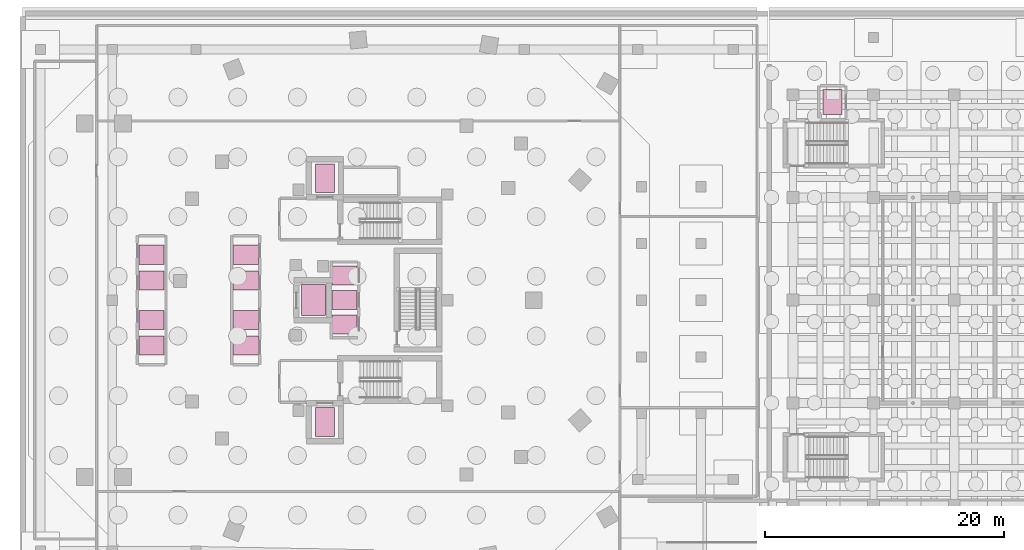
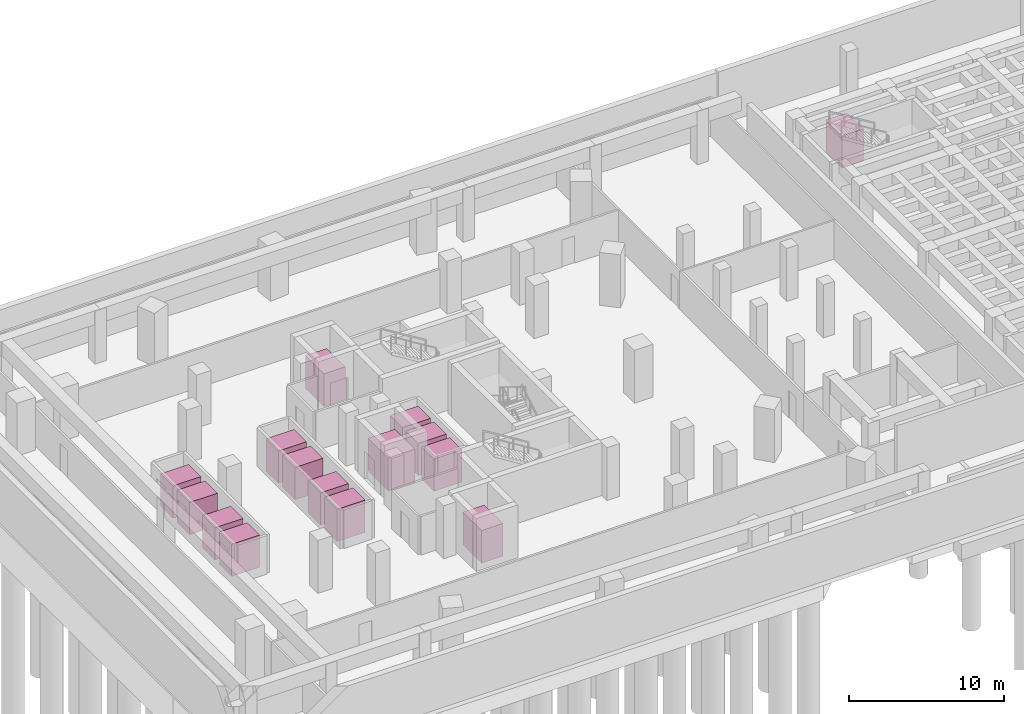
# One storey, part 15 of 15: 15 transport elements.
"""IFC4 building model written with IfcOpenShell, lengths in metres."""

from ifc_helpers import new_model, si_unit, direction, frame, origin, origin_2d, place, context, subcontext, project, spatial, rectangle, extrude, material, type_object, element, save


model = new_model("IFC4")

# Units and contexts
model_context = context("Model", 3, precision=1e-05, world=origin(), true_north=direction((0.0, 1.0)))
body_context = subcontext(model_context, "Body", "Model", "MODEL_VIEW")
ifc_project = project(units=[si_unit("LENGTHUNIT", "METRE"), si_unit("AREAUNIT", "SQUARE_METRE"), si_unit("VOLUMEUNIT", "CUBIC_METRE"), si_unit("PLANEANGLEUNIT", "RADIAN"), si_unit("MASSUNIT", "GRAM", prefix="KILO")], contexts=[model_context])

# Site, building, storey
site_placement = place(None, origin())
site = spatial("IfcSite", under=ifc_project, at=site_placement, CompositionType="ELEMENT")
building_placement = place(site_placement, origin())
building = spatial("IfcBuilding", under=site, at=building_placement, Name="Korentha Bioscience Tower", CompositionType="ELEMENT")
storey_placement = place(building_placement, frame((0.0, 0.0, -9.0)))
storey = spatial("IfcBuildingStorey", under=building, at=storey_placement, Name="B2", CompositionType="ELEMENT", Elevation=-9.0)

# Transport elements
ifc_material = material(Name="Stainless Steel Cab Assembly", Category="steel")
transport_element_type_1 = type_object("IfcTransportElementType", Name="Cleanroom Heavy Goods & Stretcher Lift 2500kg", PredefinedType="ELEVATOR", material=ifc_material)
transport_element_1_placement = place(storey_placement, frame((26.35009765625, 27.0, 0.0), z_axis=(0.0, 0.0, 1.0), x_axis=(1.0, 0.0, 0.0)))
element("IfcTransportElement", 1, at=transport_element_1_placement, inside=storey, type_object=transport_element_type_1, Name="Lift SVL-1 (Goods)", PredefinedType="ELEVATOR", context=body_context, shape_type="SweptSolid", body=[
    extrude(rectangle(XDim=2.0, YDim=2.60009765625, at=origin_2d()), origin(), (0.0, 0.0, 1.0), 2.60009765625),
])
transport_element_type_2 = type_object("IfcTransportElementType", Name="Dual-Stage Pressurized Firefighting Lift 1600kg", PredefinedType="ELEVATOR", material=ifc_material)
for number, where, z_axis, x_axis, name in (
    (2, (27.300048828125, 16.800048828125, 0.0), (0.0, 0.0, 1.0), (1.0, 0.0, 0.0), "Lift FFL-1 (Firefighting)"),
    (3, (27.300048828125, 37.199951171875, 0.0), (0.0, 0.0, 1.0), (1.0, 0.0, 0.0), "Lift FFL-2 (Firefighting)"),
):
    element("IfcTransportElement", number, at=place(storey_placement, frame(where, z_axis=z_axis, x_axis=x_axis)), inside=storey, type_object=transport_element_type_2, Name=name, PredefinedType="ELEVATOR", context=body_context, shape_type="SweptSolid", body=[
        extrude(rectangle(XDim=1.60009765625, YDim=2.39990234375, at=origin_2d()), origin(), (0.0, 0.0, 1.0), 2.60009765625),
    ])
transport_element_type_3 = type_object("IfcTransportElementType", Name="High-Rise Sky Passenger Lift 1800kg", PredefinedType="ELEVATOR", material=ifc_material)
for number, where, z_axis, x_axis, name in (
    (4, (28.949951171875, 24.97998046875, 0.0), (0.0, 0.0, 1.0), (0.0, 1.0, 0.0), "Lift PL-H1 (Passenger)"),
    (5, (28.949951171875, 27.02001953125, 0.0), (0.0, 0.0, 1.0), (0.0, 1.0, 0.0), "Lift PL-H2 (Passenger)"),
    (6, (28.949951171875, 29.070068359375, 0.0), (0.0, 0.0, 1.0), (0.0, 1.0, 0.0), "Lift PL-H3 (Passenger)"),
):
    element("IfcTransportElement", number, at=place(storey_placement, frame(where, z_axis=z_axis, x_axis=x_axis)), inside=storey, type_object=transport_element_type_3, Name=name, PredefinedType="ELEVATOR", context=body_context, shape_type="SweptSolid", body=[
        extrude(rectangle(XDim=1.60009765625, YDim=2.10009765625, at=origin_2d()), origin(), (0.0, 0.0, 1.0), 2.550048828125),
    ])
transport_element_type_4 = type_object("IfcTransportElementType", Name="Low-Rise Bioscience Passenger Lift 1600kg", PredefinedType="ELEVATOR", material=ifc_material)
for number, where, z_axis, x_axis, name in (
    (7, (12.800048828125, 23.199951171875, 0.0), (0.0, 0.0, 1.0), (0.0, 1.0, 0.0), "Lift PL-L1 (Passenger)"),
    (8, (12.800048828125, 25.35009765625, 0.0), (0.0, 0.0, 1.0), (0.0, 1.0, 0.0), "Lift PL-L2 (Passenger)"),
    (9, (12.800048828125, 28.64990234375, 0.0), (0.0, 0.0, 1.0), (0.0, 1.0, 0.0), "Lift PL-L3 (Passenger)"),
    (10, (12.800048828125, 30.800048828125, 0.0), (0.0, 0.0, 1.0), (0.0, 1.0, 0.0), "Lift PL-L4 (Passenger)"),
):
    element("IfcTransportElement", number, at=place(storey_placement, frame(where, z_axis=z_axis, x_axis=x_axis)), inside=storey, type_object=transport_element_type_4, Name=name, PredefinedType="ELEVATOR", context=body_context, shape_type="SweptSolid", body=[
        extrude(rectangle(XDim=1.60009765625, YDim=2.10009765625, at=origin_2d()), origin(), (0.0, 0.0, 1.0), 2.550048828125),
    ])
transport_element_type_5 = type_object("IfcTransportElementType", Name="Mid-Rise Express Passenger Lift 1800kg", PredefinedType="ELEVATOR", material=ifc_material)
for number, where, z_axis, x_axis, name in (
    (11, (20.679931640625, 23.199951171875, 0.0), (0.0, 0.0, 1.0), (0.0, 1.0, 0.0), "Lift PL-M1 (Passenger)"),
    (12, (20.679931640625, 25.35009765625, 0.0), (0.0, 0.0, 1.0), (0.0, 1.0, 0.0), "Lift PL-M2 (Passenger)"),
    (13, (20.679931640625, 28.64990234375, 0.0), (0.0, 0.0, 1.0), (0.0, 1.0, 0.0), "Lift PL-M3 (Passenger)"),
    (14, (20.679931640625, 30.800048828125, 0.0), (0.0, 0.0, 1.0), (0.0, 1.0, 0.0), "Lift PL-M4 (Passenger)"),
):
    element("IfcTransportElement", number, at=place(storey_placement, frame(where, z_axis=z_axis, x_axis=x_axis)), inside=storey, type_object=transport_element_type_5, Name=name, PredefinedType="ELEVATOR", context=body_context, shape_type="SweptSolid", body=[
        extrude(rectangle(XDim=1.60009765625, YDim=2.10009765625, at=origin_2d()), origin(), (0.0, 0.0, 1.0), 2.550048828125),
    ])
transport_element_type_6 = type_object("IfcTransportElementType", Name="Theatre Accessible Passenger Lift 1350kg", PredefinedType="ELEVATOR", material=ifc_material)
transport_element_2_placement = place(storey_placement, frame((69.800048828125, 43.60009765625, 0.0), z_axis=(0.0, 0.0, 1.0), x_axis=(1.0, 0.0, 0.0)))
element("IfcTransportElement", 15, at=transport_element_2_placement, inside=storey, type_object=transport_element_type_6, Name="Lift LT-1 (Passenger)", PredefinedType="ELEVATOR", context=body_context, shape_type="SweptSolid", body=[
    extrude(rectangle(XDim=1.60009765625, YDim=2.10009765625, at=origin_2d()), origin(), (0.0, 0.0, 1.0), 2.550048828125),
])

save(model, "model.ifc")
